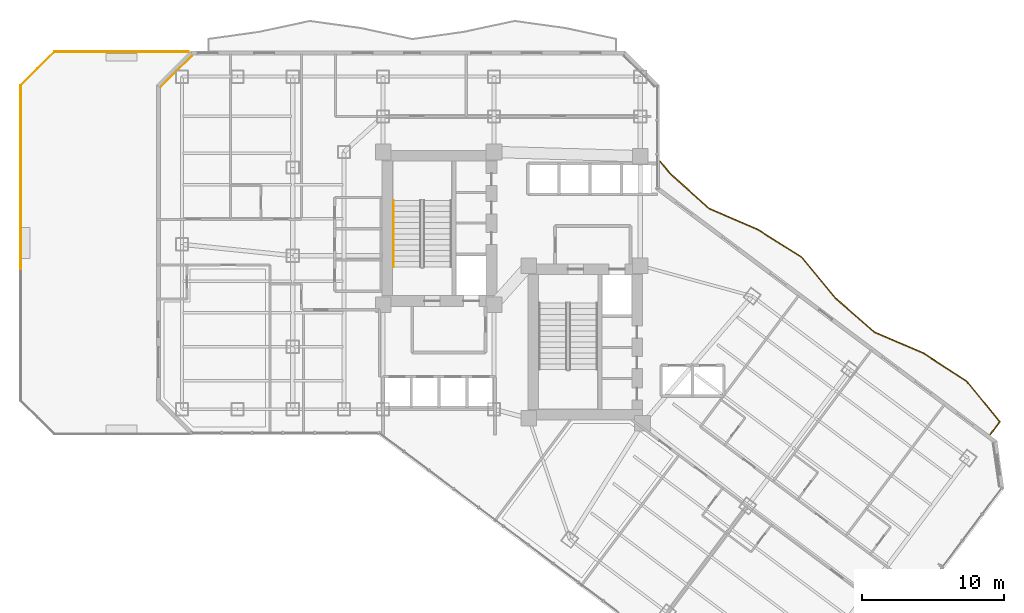
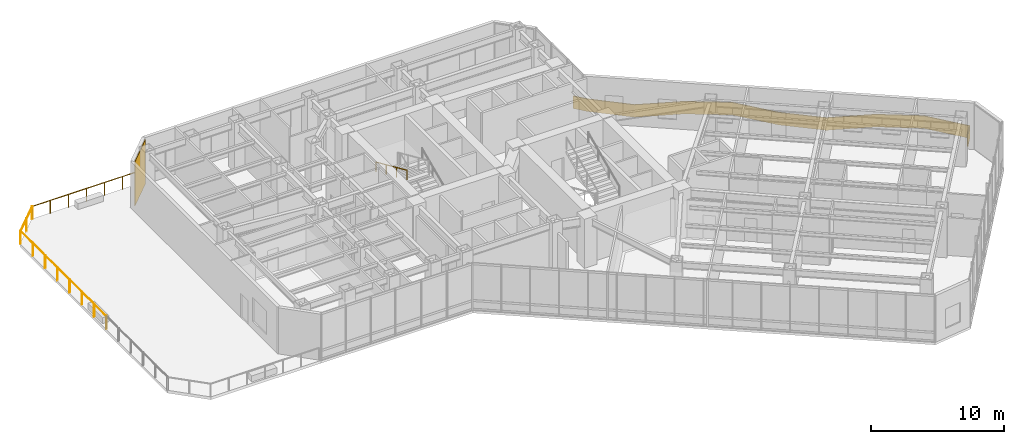
# One storey, part 25 of 27: 17 railings, 1 covering.
"""IFC4 building model written with IfcOpenShell, lengths in metres."""

import ifcopenshell
import ifcopenshell.guid

model = None  # the IFC model being written
_history = None  # IfcOwnerHistory: only IFC2X3 demands one
_inside = {}  # id of a spatial element -> (the spatial element, [elements in it])
_under = {}  # id of a project, library or spatial element -> (it, [spatial elements below it])
_declared = {}  # id of a project -> (the project, [libraries it declares])
_typed = {}  # id of a type object -> (the type object, [elements of that type])
_made_of = {}  # id of a material, layer set ... -> (it, [elements and type objects made of it])


def new_model(schema):
    """Start an empty IFC model of exactly this schema.

    Asked for "IFC4X3", IfcOpenShell would pick the latest addendum, in which some entities
    have other attributes; the version numbers below select the first issue.
    IFC2X3 requires an IfcOwnerHistory on every rooted entity: one is made here for all.
    """
    global model, _history
    if schema == "IFC4X3":
        model = ifcopenshell.file(schema_version=(4, 3, 0, 0))
    else:
        model = ifcopenshell.file(schema=schema)
    _inside.clear()
    _under.clear()
    _declared.clear()
    _typed.clear()
    _made_of.clear()
    _history = None
    if model.schema == "IFC2X3":
        org = make("IfcOrganization", Name="unknown")
        user = make(
            "IfcPersonAndOrganization",
            ThePerson=make("IfcPerson", FamilyName="unknown"),
            TheOrganization=org,
        )
        app = make(
            "IfcApplication",
            ApplicationDeveloper=org,
            Version="unknown",
            ApplicationFullName="unknown",
            ApplicationIdentifier="unknown",
        )
        _history = make(
            "IfcOwnerHistory",
            OwningUser=user,
            OwningApplication=app,
            ChangeAction="ADDED",
            CreationDate=0,
        )
    return model


def make(cls, **values):
    """One entity of the class cls with the attributes given. An attribute that is None is left unset."""
    return model.create_entity(
        cls, **{name: value for name, value in values.items() if value is not None}
    )


def rooted(cls, **values):
    """An entity with a GlobalId (a new one), such as an element, a storey or a relation."""
    return make(cls, GlobalId=ifcopenshell.guid.new(), OwnerHistory=_history, **values)


def si_unit(unit_type, name, prefix=None):
    """IfcSIUnit, for example si_unit("LENGTHUNIT", "METRE", prefix="MILLI")."""
    return make("IfcSIUnit", UnitType=unit_type, Prefix=prefix, Name=name)


def assignment(units):
    """IfcUnitAssignment: the units of a project."""
    return None if units is None else make("IfcUnitAssignment", Units=units)


def point(xyz):
    """IfcCartesianPoint."""
    return None if xyz is None else make("IfcCartesianPoint", Coordinates=xyz)


def direction(xyz):
    """IfcDirection."""
    return None if xyz is None else make("IfcDirection", DirectionRatios=xyz)


def frame(location, z_axis=None, x_axis=None):
    """IfcAxis2Placement3D, a coordinate frame: its origin and axes. An axis left out is left unset."""
    return make(
        "IfcAxis2Placement3D",
        Location=point(location),
        Axis=direction(z_axis),
        RefDirection=direction(x_axis),
    )


def frame_2d(location, x_axis=None):
    """IfcAxis2Placement2D, a coordinate frame in the plane: its origin and x axis."""
    return make(
        "IfcAxis2Placement2D", Location=point(location), RefDirection=direction(x_axis)
    )


def origin():
    """The frame at (0, 0, 0) with its axes left unset."""
    return frame((0.0, 0.0, 0.0))


def origin_2d():
    """The frame at (0, 0) in the plane with its x axis left unset."""
    return frame_2d((0.0, 0.0))


def place(relative_to, where):
    """IfcLocalPlacement: puts the frame where relative to a parent placement (None: the world)."""
    return make(
        "IfcLocalPlacement", PlacementRelTo=relative_to, RelativePlacement=where
    )


def context(
    kind, dimensions, precision=None, world=None, true_north=None, identifier=None
):
    """IfcGeometricRepresentationContext, for example the 3D "Model" context."""
    return make(
        "IfcGeometricRepresentationContext",
        ContextIdentifier=identifier,
        ContextType=kind,
        CoordinateSpaceDimension=dimensions,
        Precision=precision,
        WorldCoordinateSystem=world,
        TrueNorth=true_north,
    )


def subcontext(parent, identifier, kind, view, scale=None):
    """IfcGeometricRepresentationSubContext, for example "Body" below "Model"."""
    return make(
        "IfcGeometricRepresentationSubContext",
        ContextIdentifier=identifier,
        ContextType=kind,
        ParentContext=parent,
        TargetScale=scale,
        TargetView=view,
    )


def project(units=None, contexts=None):
    """IfcProject with its units and contexts."""
    return rooted(
        "IfcProject",
        Name="project",
        RepresentationContexts=contexts,
        UnitsInContext=assignment(units),
    )


def spatial(cls, under=None, at=None, **own):
    """A site, building, storey or space (cls), placed at a placement, below another one or the project."""
    s = rooted(cls, ObjectPlacement=at, **own)
    if under is not None:
        _under.setdefault(under.id(), (under, []))[1].append(s)
    return s


def polyline(points):
    """IfcPolyline through the points."""
    return make("IfcPolyline", Points=[point(p) for p in points])


def profile(cls, at=None, kind="AREA", **sizes):
    """A parametric profile (cls). Its sizes go by their IFC names, for example OverallWidth=200.0."""
    return make(cls, ProfileType=kind, Position=at, **sizes)


def rectangle(**sizes):
    """IfcRectangleProfileDef."""
    return profile("IfcRectangleProfileDef", **sizes)


def circle(**sizes):
    """IfcCircleProfileDef."""
    return profile("IfcCircleProfileDef", **sizes)


def outline(outer, holes=None, kind="AREA"):
    """IfcArbitraryClosedProfileDef: a profile drawn as a closed curve; with holes, ...WithVoids."""
    if holes is None:
        return make("IfcArbitraryClosedProfileDef", ProfileType=kind, OuterCurve=outer)
    return make(
        "IfcArbitraryProfileDefWithVoids",
        ProfileType=kind,
        OuterCurve=outer,
        InnerCurves=holes,
    )


def extrude(swept, where, along, depth):
    """IfcExtrudedAreaSolid: the profile swept, set in the frame where, extruded along a direction by depth."""
    return make(
        "IfcExtrudedAreaSolid",
        SweptArea=swept,
        Position=where,
        ExtrudedDirection=direction(along),
        Depth=depth,
    )


def shape(context_of_items, identifier, shape_type, items):
    """IfcShapeRepresentation: the items that make up one representation, for example the "Body"."""
    return make(
        "IfcShapeRepresentation",
        ContextOfItems=context_of_items,
        RepresentationIdentifier=identifier,
        RepresentationType=shape_type,
        Items=items,
    )


def material(Name=None, Category=None):
    """IfcMaterial."""
    return make("IfcMaterial", Name=Name, Category=Category)


def layer(
    of_material, thickness, ventilated=None, Name=None, Category=None, Priority=None
):
    """IfcMaterialLayer: one layer of a wall or slab, of a material (None: an air gap)."""
    return make(
        "IfcMaterialLayer",
        Material=of_material,
        LayerThickness=thickness,
        IsVentilated=ventilated,
        Name=Name,
        Category=Category,
        Priority=Priority,
    )


def layer_set(layers, Name=None):
    """IfcMaterialLayerSet."""
    return make("IfcMaterialLayerSet", MaterialLayers=layers, LayerSetName=Name)


def made_of(thing, what):
    """Note that an element or type object is made of a material, layer set ...; save() writes the relation."""
    if what is not None:
        _made_of.setdefault(what.id(), (what, []))[1].append(thing)
    return thing


def type_object(cls, material=None, **own):
    """A type object (cls), such as IfcWallType, which elements share."""
    return made_of(rooted(cls, **own), material)


def element(
    cls,
    number,
    at=None,
    inside=None,
    cuts=None,
    type_object=None,
    material=None,
    context=None,
    identifier="Body",
    shape_type=None,
    held_by="IfcProductDefinitionShape",
    body=None,
    shapes=None,
    **own,
):
    """One element of the class cls, such as IfcWall. Its Tag is "e" and its number.

    at: its placement. inside: the storey or other place that contains it. cuts: it is an
    opening in that element (IfcRelVoidsElement). A single representation is given by context,
    identifier, shape_type and body (its items); several are given by shapes. held_by: the class
    of the entity that holds the representations. save() writes the other relations.
    """
    e = rooted(cls, Tag="e%d" % number, ObjectPlacement=at, **own)
    if body is not None:
        shapes = [shape(context, identifier, shape_type, body)]
    if shapes is not None:
        e.Representation = make(held_by, Representations=shapes)
    if inside is not None:
        _inside.setdefault(inside.id(), (inside, []))[1].append(e)
    if cuts is not None:
        rooted(
            "IfcRelVoidsElement", RelatingBuildingElement=cuts, RelatedOpeningElement=e
        )
    if type_object is not None:
        _typed.setdefault(type_object.id(), (type_object, []))[1].append(e)
    return made_of(e, material)


def aggregate(whole, parts):
    """IfcRelAggregates: a whole, such as a stair, and the parts it consists of."""
    return rooted("IfcRelAggregates", RelatingObject=whole, RelatedObjects=parts)


def save(model, path):
    """Write the relations noted so far, then the file.

    IfcRelAggregates (storeys below a building ...), IfcRelContainedInSpatialStructure (elements
    in a storey), IfcRelDefinesByType, IfcRelAssociatesMaterial and IfcRelDeclares: one each for
    every whole, place, type object, material and project.
    """
    for whole, parts in _under.values():
        aggregate(whole, parts)
    for where, things in _inside.values():
        rooted(
            "IfcRelContainedInSpatialStructure",
            RelatedElements=things,
            RelatingStructure=where,
        )
    for kind, things in _typed.values():
        rooted("IfcRelDefinesByType", RelatedObjects=things, RelatingType=kind)
    for what, things in _made_of.values():
        rooted("IfcRelAssociatesMaterial", RelatedObjects=things, RelatingMaterial=what)
    for by, libraries in _declared.values():
        rooted("IfcRelDeclares", RelatingContext=by, RelatedDefinitions=libraries)
    model.write(path)


model = new_model("IFC4")

# Units and contexts
model_context = context("Model", 3, precision=1e-05, world=origin(), true_north=direction((0.0, 1.0)))
body_context = subcontext(model_context, "Body", "Model", "MODEL_VIEW")
ifc_project = project(units=[si_unit("LENGTHUNIT", "METRE"), si_unit("AREAUNIT", "SQUARE_METRE"), si_unit("VOLUMEUNIT", "CUBIC_METRE"), si_unit("PLANEANGLEUNIT", "RADIAN"), si_unit("MASSUNIT", "GRAM", prefix="KILO")], contexts=[model_context])

# Site, building, storey
site_placement = place(None, origin())
site = spatial("IfcSite", under=ifc_project, at=site_placement, CompositionType="ELEMENT")
building_placement = place(site_placement, origin())
building = spatial("IfcBuilding", under=site, at=building_placement, Name="Hatsunagi Terrace Concourse", CompositionType="ELEMENT")
storey_placement = place(building_placement, frame((0.0, 0.0, 70.10009765625)))
storey = spatial("IfcBuildingStorey", under=building, at=storey_placement, Name="L18", CompositionType="ELEMENT", Elevation=70.10009765625)

# Railings
ifc_material_1 = material(Name="Laminated Glass and Stainless Steel Guard", Category="steel")
ifc_layer_1 = layer(ifc_material_1, 0.070068359375)
ifc_layer_set_1 = layer_set([ifc_layer_1], Name="BalconyGlassGuardRail_1150")
railing_type_1 = type_object("IfcRailingType", Name="BalconyGlassGuardRail_1150", PredefinedType="BALUSTRADE", material=ifc_layer_set_1)
railing_1_placement = place(storey_placement, origin())
element("IfcRailing", 1, at=railing_1_placement, inside=storey, type_object=railing_type_1, Name="Engawa Balcony Guard GRD-01 L18-BSE-1", PredefinedType="BALUSTRADE", context=body_context, shape_type="SweptSolid", body=[
    extrude(outline(polyline([(45.072998046875, 42.658447265625), (45.01904296875, 42.613525390625), (45.73779296875, 41.750732421875), (48.462890625, 39.294189453125), (51.898681640625, 37.808837890625), (54.969482421875, 35.88134765625), (57.34375, 33.00341796875), (60.10009765625, 30.587890625), (63.54443359375, 29.115966796875), (66.58447265625, 27.147705078125), (68.903564453125, 24.31396484375), (68.241943359375, 23.430908203125), (68.298095703125, 23.388916015625), (68.992431640625, 24.31591796875), (66.631591796875, 27.200439453125), (63.577392578125, 29.177978515625), (60.137939453125, 30.64794921875), (57.394287109375, 33.052490234375), (55.016357421875, 35.9345703125), (51.931396484375, 37.87109375), (48.501220703125, 39.353759765625), (45.788330078125, 41.79931640625), (45.072998046875, 42.658447265625)])), origin(), (0.0, 0.0, 1.0), 1.14990234375),
])
ifc_material_2 = material(Name="Stainless steel", Category="steel")
ifc_layer_2 = layer(ifc_material_2, 0.044921875)
ifc_layer_set_2 = layer_set([ifc_layer_2], Name="StairPitchHandrail_Tower2000")
railing_type_2 = type_object("IfcRailingType", Name="StairPitchHandrail_Tower2000", PredefinedType="HANDRAIL", material=ifc_layer_set_2)
railing_2_placement = place(storey_placement, frame((26.280029296875, 39.8798828125, 2.423095703125)))
element("IfcRailing", 2, at=railing_2_placement, inside=storey, type_object=railing_type_2, Name="L18 ST-A stair handrail 2", PredefinedType="HANDRAIL", context=body_context, shape_type="SweptSolid", body=[
    extrude(circle(Radius=0.02392578125, at=origin_2d()), frame((0.0, 0.0, 0.8759765625), z_axis=(0.0, -0.914033604373, 0.405638472137), x_axis=(1.0, 0.0, 0.0)), (0.0, 0.0, 1.0), 5.1201171875),
    extrude(circle(Radius=0.02099609375, at=origin_2d()), origin(), (0.0, 0.0, 1.0), 0.851806640625),
    extrude(circle(Radius=0.02099609375, at=origin_2d()), frame((0.0, -1.56005859375, 0.6923828125)), (0.0, 0.0, 1.0), 0.851806640625),
    extrude(circle(Radius=0.02099609375, at=origin_2d()), frame((0.0, -3.119873046875, 1.384521484375)), (0.0, 0.0, 1.0), 0.851806640625),
    extrude(circle(Radius=0.02099609375, at=origin_2d()), frame((0.0, -4.679931640625, 2.076904296875)), (0.0, 0.0, 1.0), 0.851806640625),
])
ifc_material_3 = material(Name="Stainless Steel SUS316 Post-and-Rail Guard", Category="steel")
ifc_layer_3 = layer(ifc_material_3, 0.080078125)
ifc_layer_set_3 = layer_set([ifc_layer_3], Name="TerracePlantedGuardRail_1200")
railing_type_3 = type_object("IfcRailingType", Name="TerracePlantedGuardRail_1200", PredefinedType="GUARDRAIL", material=ifc_layer_set_3)
for number, where, name in (
    (3, (0.050048828125, 35.05810546875, 0.039794921875), "Sky Garden Guardrail GRD-02 TER-L18-1-1 #14"),
    (4, (0.050048828125, 36.904052734375, 0.039794921875), "Sky Garden Guardrail GRD-02 TER-L18-1-1 #15"),
):
    element("IfcRailing", number, at=place(storey_placement, frame(where)), inside=storey, type_object=railing_type_3, Name=name, PredefinedType="GUARDRAIL", context=body_context, shape_type="SweptSolid", body=[
        extrude(circle(Radius=0.02392578125, at=origin_2d()), frame((0.0, 0.0, 1.17578125), z_axis=(0.0, 1.0, 0.0), x_axis=(-1.0, 0.0, 0.0)), (0.0, 0.0, 1.0), 1.837890625),
        extrude(circle(Radius=0.02099609375, at=origin_2d()), origin(), (0.0, 0.0, 1.0), 1.15185546875),
        extrude(circle(Radius=0.02099609375, at=origin_2d()), frame((0.0, 1.837890625, 0.0)), (0.0, 0.0, 1.0), 1.15185546875),
    ])
railing_3_placement = place(storey_placement, frame((0.050048828125, 38.7509765625, 0.039794921875)))
element("IfcRailing", 5, at=railing_3_placement, inside=storey, type_object=railing_type_3, Name="Sky Garden Guardrail GRD-02 TER-L18-1-1 #16", PredefinedType="GUARDRAIL", context=body_context, shape_type="SweptSolid", body=[
    extrude(circle(Radius=0.02392578125, at=origin_2d()), frame((0.0, 0.0, 1.17578125), z_axis=(0.0, 1.0, 0.0), x_axis=(-1.0, 0.0, 0.0)), (0.0, 0.0, 1.0), 1.838134765625),
    extrude(circle(Radius=0.02099609375, at=origin_2d()), origin(), (0.0, 0.0, 1.0), 1.15185546875),
    extrude(circle(Radius=0.02099609375, at=origin_2d()), frame((0.0, 1.838134765625, 0.0)), (0.0, 0.0, 1.0), 1.15185546875),
])
railing_4_placement = place(storey_placement, frame((0.050048828125, 40.596923828125, 0.039794921875)))
element("IfcRailing", 6, at=railing_4_placement, inside=storey, type_object=railing_type_3, Name="Sky Garden Guardrail GRD-02 TER-L18-1-1 #17", PredefinedType="GUARDRAIL", context=body_context, shape_type="SweptSolid", body=[
    extrude(circle(Radius=0.02392578125, at=origin_2d()), frame((0.0, 0.0, 1.17578125), z_axis=(0.0, 1.0, 0.0), x_axis=(-1.0, 0.0, 0.0)), (0.0, 0.0, 1.0), 1.839111328125),
    extrude(circle(Radius=0.02099609375, at=origin_2d()), origin(), (0.0, 0.0, 1.0), 1.15185546875),
    extrude(circle(Radius=0.02099609375, at=origin_2d()), frame((0.0, 1.839111328125, 0.0)), (0.0, 0.0, 1.0), 1.15185546875),
])
railing_5_placement = place(storey_placement, frame((0.050048828125, 42.444091796875, 0.039794921875)))
element("IfcRailing", 7, at=railing_5_placement, inside=storey, type_object=railing_type_3, Name="Sky Garden Guardrail GRD-02 TER-L18-1-1 #18", PredefinedType="GUARDRAIL", context=body_context, shape_type="SweptSolid", body=[
    extrude(circle(Radius=0.02392578125, at=origin_2d()), frame((0.0, 0.0, 1.17578125), z_axis=(0.0, 1.0, 0.0), x_axis=(-1.0, 0.0, 0.0)), (0.0, 0.0, 1.0), 1.837890625),
    extrude(circle(Radius=0.02099609375, at=origin_2d()), origin(), (0.0, 0.0, 1.0), 1.15185546875),
    extrude(circle(Radius=0.02099609375, at=origin_2d()), frame((0.0, 1.837890625, 0.0)), (0.0, 0.0, 1.0), 1.15185546875),
])
railing_6_placement = place(storey_placement, frame((0.050048828125, 44.2900390625, 0.039794921875)))
element("IfcRailing", 8, at=railing_6_placement, inside=storey, type_object=railing_type_3, Name="Sky Garden Guardrail GRD-02 TER-L18-1-1 #19", PredefinedType="GUARDRAIL", context=body_context, shape_type="SweptSolid", body=[
    extrude(circle(Radius=0.02392578125, at=origin_2d()), frame((0.0, 0.0, 1.17578125), z_axis=(0.0, 1.0, 0.0), x_axis=(-1.0, 0.0, 0.0)), (0.0, 0.0, 1.0), 1.8388671875),
    extrude(circle(Radius=0.02099609375, at=origin_2d()), origin(), (0.0, 0.0, 1.0), 1.15185546875),
    extrude(circle(Radius=0.02099609375, at=origin_2d()), frame((0.0, 1.8388671875, 0.0)), (0.0, 0.0, 1.0), 1.15185546875),
])
railing_7_placement = place(storey_placement, frame((0.050048828125, 46.135986328125, 0.039794921875)))
element("IfcRailing", 9, at=railing_7_placement, inside=storey, type_object=railing_type_3, Name="Sky Garden Guardrail GRD-02 TER-L18-1-1 #20", PredefinedType="GUARDRAIL", context=body_context, shape_type="SweptSolid", body=[
    extrude(circle(Radius=0.02392578125, at=origin_2d()), frame((0.0, 0.0, 1.17578125), z_axis=(0.0, 1.0, 0.0), x_axis=(-1.0, 0.0, 0.0)), (0.0, 0.0, 1.0), 1.843017578125),
    extrude(circle(Radius=0.02099609375, at=origin_2d()), origin(), (0.0, 0.0, 1.0), 1.15185546875),
    extrude(circle(Radius=0.02099609375, at=origin_2d()), frame((0.0, 1.843017578125, 0.0)), (0.0, 0.0, 1.0), 1.15185546875),
])
for number, where, name in (
    (10, (0.050048828125, 47.97900390625, 0.039794921875), "Sky Garden Guardrail GRD-02 TER-L18-1-1 #21"),
    (11, (1.238037109375, 49.1669921875, 0.039794921875), "Sky Garden Guardrail GRD-02 TER-L18-1-1 #22"),
):
    element("IfcRailing", number, at=place(storey_placement, frame(where)), inside=storey, type_object=railing_type_3, Name=name, PredefinedType="GUARDRAIL", context=body_context, shape_type="SweptSolid", body=[
        extrude(circle(Radius=0.02392578125, at=origin_2d()), frame((0.0, 0.0, 1.17578125), z_axis=(0.707033812116, 0.707179742728, 0.0), x_axis=(-0.707179742728, 0.707033812116, 0.0)), (0.0, 0.0, 1.0), 1.673095703125),
        extrude(circle(Radius=0.02099609375, at=origin_2d()), origin(), (0.0, 0.0, 1.0), 1.15185546875),
        extrude(circle(Radius=0.02099609375, at=origin_2d()), frame((1.182861328125, 1.18310546875, 0.0)), (0.0, 0.0, 1.0), 1.15185546875),
    ])
railing_8_placement = place(storey_placement, frame((2.4208984375, 50.35009765625, 0.039794921875)))
element("IfcRailing", 12, at=railing_8_placement, inside=storey, type_object=railing_type_3, Name="Sky Garden Guardrail GRD-02 TER-L18-1-1 #23", PredefinedType="GUARDRAIL", context=body_context, shape_type="SweptSolid", body=[
    extrude(circle(Radius=0.02392578125, at=origin_2d()), frame((0.0, 0.0, 1.17578125), z_axis=(1.0, 0.0, 0.0), x_axis=(0.0, 1.0, 0.0)), (0.0, 0.0, 1.0), 1.569091796875),
    extrude(circle(Radius=0.02099609375, at=origin_2d()), origin(), (0.0, 0.0, 1.0), 1.15185546875),
    extrude(circle(Radius=0.02099609375, at=origin_2d()), frame((1.569091796875, 0.0, 0.0)), (0.0, 0.0, 1.0), 1.15185546875),
])
for number, where, name in (
    (13, (3.998046875, 50.35009765625, 0.039794921875), "Sky Garden Guardrail GRD-02 TER-L18-1-1 #24"),
    (14, (5.572021484375, 50.35009765625, 0.039794921875), "Sky Garden Guardrail GRD-02 TER-L18-1-1 #25"),
):
    element("IfcRailing", number, at=place(storey_placement, frame(where)), inside=storey, type_object=railing_type_3, Name=name, PredefinedType="GUARDRAIL", context=body_context, shape_type="SweptSolid", body=[
        extrude(circle(Radius=0.02392578125, at=origin_2d()), frame((0.0, 0.0, 1.17578125), z_axis=(1.0, 0.0, 0.0), x_axis=(0.0, 1.0, 0.0)), (0.0, 0.0, 1.0), 1.56591796875),
        extrude(circle(Radius=0.02099609375, at=origin_2d()), origin(), (0.0, 0.0, 1.0), 1.15185546875),
        extrude(circle(Radius=0.02099609375, at=origin_2d()), frame((1.56591796875, 0.0, 0.0)), (0.0, 0.0, 1.0), 1.15185546875),
    ])
for number, where, name in (
    (15, (7.14599609375, 50.35009765625, 0.039794921875), "Sky Garden Guardrail GRD-02 TER-L18-1-1 #26"),
    (16, (8.718994140625, 50.35009765625, 0.039794921875), "Sky Garden Guardrail GRD-02 TER-L18-1-1 #27"),
):
    element("IfcRailing", number, at=place(storey_placement, frame(where)), inside=storey, type_object=railing_type_3, Name=name, PredefinedType="GUARDRAIL", context=body_context, shape_type="SweptSolid", body=[
        extrude(circle(Radius=0.02392578125, at=origin_2d()), frame((0.0, 0.0, 1.17578125), z_axis=(1.0, 0.0, 0.0), x_axis=(0.0, 1.0, 0.0)), (0.0, 0.0, 1.0), 1.56494140625),
        extrude(circle(Radius=0.02099609375, at=origin_2d()), origin(), (0.0, 0.0, 1.0), 1.15185546875),
        extrude(circle(Radius=0.02099609375, at=origin_2d()), frame((1.56494140625, 0.0, 0.0)), (0.0, 0.0, 1.0), 1.15185546875),
    ])
railing_9_placement = place(storey_placement, frame((10.29296875, 50.35009765625, 0.039794921875)))
element("IfcRailing", 17, at=railing_9_placement, inside=storey, type_object=railing_type_3, Name="Sky Garden Guardrail GRD-02 TER-L18-1-1 #28", PredefinedType="GUARDRAIL", context=body_context, shape_type="SweptSolid", body=[
    extrude(circle(Radius=0.02392578125, at=origin_2d()), frame((0.0, 0.0, 1.17578125), z_axis=(1.0, 0.0, 0.0), x_axis=(0.0, 1.0, 0.0)), (0.0, 0.0, 1.0), 1.569091796875),
    extrude(circle(Radius=0.02099609375, at=origin_2d()), origin(), (0.0, 0.0, 1.0), 1.15185546875),
    extrude(circle(Radius=0.02099609375, at=origin_2d()), frame((1.569091796875, 0.0, 0.0)), (0.0, 0.0, 1.0), 1.15185546875),
])

# Covering
ifc_material_4 = material(Name="Unglazed Warm Terracotta Rainscreen Tile", Category="masonry")
ifc_layer_4 = layer(ifc_material_4, 0.044921875)
ifc_layer_set_4 = layer_set([ifc_layer_4], Name="TerracottaRainscreenCladding_45")
covering_type = type_object("IfcCoveringType", Name="TerracottaRainscreenCladding_45", PredefinedType="CLADDING", material=ifc_layer_set_4)
covering_placement = place(storey_placement, frame((11.013916015625, 48.986083984375, 0.099853515625), z_axis=(0.0, 0.0, 1.0), x_axis=(0.707106781187, 0.707106781187, 0.0)))
element("IfcCovering", 18, at=covering_placement, inside=storey, type_object=covering_type, Name="Terracotta Rainscreen Cladding L18-10", PredefinedType="CLADDING", context=body_context, shape_type="SweptSolid", body=[
    extrude(rectangle(XDim=3.0380859375, YDim=0.044921875, at=origin_2d()), origin(), (0.0, 0.0, 1.0), 4.080078125),
])

save(model, "model.ifc")
